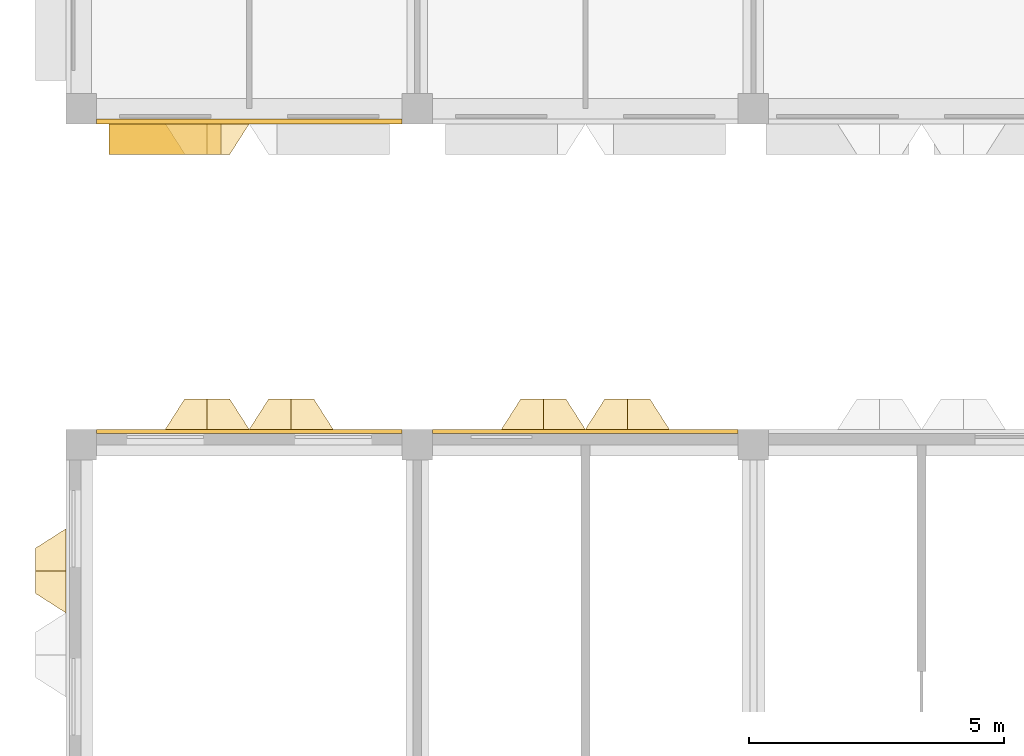
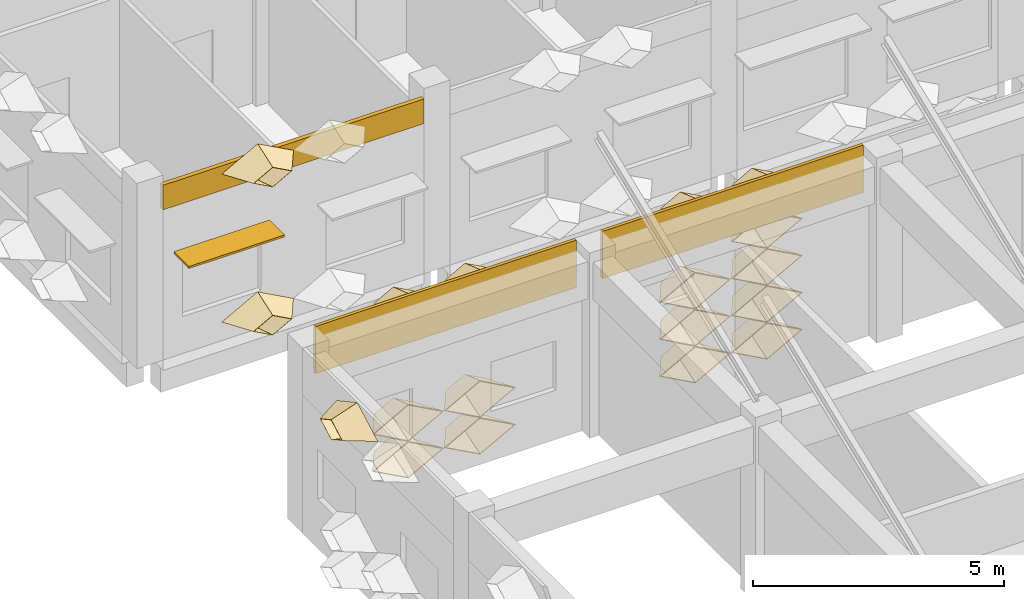
# One storey, part 83 of 102: 21 coverings, 1 shading device.
"""IFC4 building model written with IfcOpenShell, lengths in metres."""

from ifc_helpers import new_model, entity, si_unit, direction, frame, frame_2d, origin, origin_2d, place, context, subcontext, project, spatial, rectangle, extrude, material, layer, layer_set, type_object, element, save


model = new_model("IFC4")

# Units and contexts
model_context = context("Model", 3, precision=1e-05, world=origin(), true_north=direction((0.0, 1.0)))
body_context = subcontext(model_context, "Body", "Model", "MODEL_VIEW")
ifc_project = project(units=[si_unit("LENGTHUNIT", "METRE"), si_unit("AREAUNIT", "SQUARE_METRE"), si_unit("VOLUMEUNIT", "CUBIC_METRE"), si_unit("PLANEANGLEUNIT", "RADIAN"), si_unit("MASSUNIT", "GRAM", prefix="KILO")], contexts=[model_context])

# Site, building, storey
site_placement = place(None, origin())
site = spatial("IfcSite", under=ifc_project, at=site_placement, CompositionType="ELEMENT")
building_placement = place(site_placement, origin())
building = spatial("IfcBuilding", under=site, at=building_placement, Name="Lantern Court Research Institute", CompositionType="ELEMENT")
storey_placement = place(building_placement, frame((0.0, 0.0, 9.89990234375)))
storey = spatial("IfcBuildingStorey", under=building, at=storey_placement, Name="L02", CompositionType="ELEMENT", Elevation=9.89990234375)

# Shading device
ifc_material_1 = material(Name="Aluminium alloy 6063-T6", Category="aluminium")
ifc_layer_1 = layer(ifc_material_1, 0.050048828125)
ifc_layer_set_1 = layer_set([ifc_layer_1], Name="Aluminium alloy 6063-T6")
shading_device_type = type_object("IfcShadingDeviceType", Name="Brise-soleil blade 2200 x 600 x 50 aluminium", PredefinedType="USERDEFINED", material=ifc_layer_set_1)
shading_device_placement = place(storey_placement, frame((1.64990234375, 81.89990234375, 2.5), z_axis=(0.0, 0.0, 1.0), x_axis=(-1.0, 0.0, 0.0)))
element("IfcShadingDevice", 1, at=shading_device_placement, inside=storey, type_object=shading_device_type, Name="Brise-soleil blade L02 S", ObjectType="LOUVRE", PredefinedType="USERDEFINED", context=body_context, shape_type="SweptSolid", body=[
    extrude(rectangle(XDim=2.199951171875, YDim=0.60009765625, at=origin_2d()), origin(), (0.0, 0.0, 1.0), 0.050048828125),
])

# Coverings
ifc_material_2 = material(Name="Aluminium composite panel with mineral wool insulation", Category="aluminium")
ifc_layer_2 = layer(ifc_material_2, 0.10009765625)
ifc_layer_set_2 = layer_set([ifc_layer_2], Name="Aluminium composite panel with mineral wool insulation")
covering_type_1 = type_object("IfcCoveringType", Name="Edge fascia panel 100 aluminium faced", PredefinedType="CLADDING", material=ifc_layer_set_2)
covering_1_placement = place(storey_placement, frame((6.300048828125, 82.25, 3.650146484375), z_axis=(0.0, 0.0, 1.0), x_axis=(-1.0, 0.0, 0.0)))
element("IfcCovering", 2, at=covering_1_placement, inside=storey, type_object=covering_type_1, Name="Edge fascia V6S L02 01", PredefinedType="CLADDING", context=body_context, shape_type="SweptSolid", body=[
    extrude(rectangle(XDim=6.0, YDim=0.10009765625, at=frame_2d((3.0, 0.0))), origin(), (0.0, 0.0, 1.0), 0.599853515625),
])
ifc_material_3 = material(Name="Aluminium composite panel with mineral wool insulation", Category="aluminium")
ifc_layer_3 = layer(ifc_material_3, 0.074951171875)
ifc_layer_set_3 = layer_set([ifc_layer_3], Name="Aluminium composite panel with mineral wool insulation")
covering_type_2 = type_object("IfcCoveringType", Name="Edge fascia panel 75 aluminium faced", PredefinedType="CLADDING", material=ifc_layer_set_3)
for number, where, z_axis, x_axis, name in (
    (3, (0.300048828125, 76.16259765625, 3.35009765625), (0.0, 0.0, 1.0), (1.0, 0.0, 0.0), "Edge fascia V3N L02 01"),
    (4, (6.89990234375, 76.16259765625, 3.35009765625), (0.0, 0.0, 1.0), (1.0, 0.0, 0.0), "Edge fascia V3N L02 02"),
):
    element("IfcCovering", number, at=place(storey_placement, frame(where, z_axis=z_axis, x_axis=x_axis)), inside=storey, type_object=covering_type_2, Name=name, PredefinedType="CLADDING", context=body_context, shape_type="SweptSolid", body=[
        extrude(rectangle(XDim=6.0, YDim=0.074951171875, at=frame_2d((3.0, 0.0))), origin(), (0.0, 0.0, 1.0), 1.14990234375),
    ])
ifc_material_4 = material(Name="Anodised aluminium", Category="aluminium")
ifc_layer_4 = layer(ifc_material_4, 0.01611328125)
ifc_layer_set_4 = layer_set([ifc_layer_4], Name="Anodised aluminium")
covering_type_3 = type_object("IfcCoveringType", Name="Fin cassette 1650 x 900 x 600 aluminium", PredefinedType="CLADDING", material=ifc_layer_set_4)
covering_2_placement = place(storey_placement, frame((2.47509765625, 76.199951171875, 0.4501953125), z_axis=(0.0, 1.0, 0.0), x_axis=(-1.0, 0.0, 0.0)))
cartesian_point_1 = entity("IfcCartesianPoint", [0.824951171875, 0.0])
cartesian_point_2 = entity("IfcCartesianPoint", [0.79150390625, 0.0])
cartesian_point_3 = entity("IfcCartesianPoint", [0.44189453125, 0.0])
cartesian_point_4 = entity("IfcCartesianPoint", [0.43359375, 0.0])
element("IfcCovering", 5, at=covering_2_placement, inside=storey, type_object=covering_type_3, Name="Fin cassette V3N-L02 1.2", PredefinedType="CLADDING", context=body_context, shape_type="SweptSolid", body=[
    entity("IfcExtrudedAreaSolidTapered", entity("IfcArbitraryProfileDefWithVoids", "AREA", None, entity("IfcPolyline", [cartesian_point_1, entity("IfcCartesianPoint", [0.0, 0.449951171875]), entity("IfcCartesianPoint", [-0.824951171875, 0.0]), entity("IfcCartesianPoint", [0.0, -0.449951171875]), cartesian_point_1]), [entity("IfcPolyline", [cartesian_point_2, entity("IfcCartesianPoint", [0.0, 0.431884765625]), entity("IfcCartesianPoint", [-0.79150390625, 0.0]), entity("IfcCartesianPoint", [0.0, -0.431884765625]), cartesian_point_2])]), entity("IfcAxis2Placement3D", entity("IfcCartesianPoint", [0.0, 0.0, 0.0])), entity("IfcDirection", [0.0, 0.0, 1.0]), 0.60009765625, entity("IfcArbitraryProfileDefWithVoids", "AREA", None, entity("IfcPolyline", [cartesian_point_3, entity("IfcCartesianPoint", [0.0, 0.240966796875]), entity("IfcCartesianPoint", [-0.44189453125, 0.0]), entity("IfcCartesianPoint", [0.0, -0.240966796875]), cartesian_point_3]), [entity("IfcPolyline", [cartesian_point_4, entity("IfcCartesianPoint", [0.0, 0.236572265625]), entity("IfcCartesianPoint", [-0.43359375, 0.0]), entity("IfcCartesianPoint", [0.0, -0.236572265625]), cartesian_point_4])])),
])
covering_3_placement = place(storey_placement, frame((4.125, 76.199951171875, 0.4501953125), z_axis=(0.0, 1.0, 0.0), x_axis=(-1.0, 0.0, 0.0)))
cartesian_point_5 = entity("IfcCartesianPoint", [0.824951171875, 0.0])
cartesian_point_6 = entity("IfcCartesianPoint", [0.79150390625, 0.0])
cartesian_point_7 = entity("IfcCartesianPoint", [0.44189453125, 0.0])
cartesian_point_8 = entity("IfcCartesianPoint", [0.43359375, 0.0])
element("IfcCovering", 6, at=covering_3_placement, inside=storey, type_object=covering_type_3, Name="Fin cassette V3N-L02 1.3", PredefinedType="CLADDING", context=body_context, shape_type="SweptSolid", body=[
    entity("IfcExtrudedAreaSolidTapered", entity("IfcArbitraryProfileDefWithVoids", "AREA", None, entity("IfcPolyline", [cartesian_point_5, entity("IfcCartesianPoint", [0.0, 0.449951171875]), entity("IfcCartesianPoint", [-0.824951171875, 0.0]), entity("IfcCartesianPoint", [0.0, -0.449951171875]), cartesian_point_5]), [entity("IfcPolyline", [cartesian_point_6, entity("IfcCartesianPoint", [0.0, 0.431884765625]), entity("IfcCartesianPoint", [-0.79150390625, 0.0]), entity("IfcCartesianPoint", [0.0, -0.431884765625]), cartesian_point_6])]), entity("IfcAxis2Placement3D", entity("IfcCartesianPoint", [0.0, 0.0, 0.0])), entity("IfcDirection", [0.0, 0.0, 1.0]), 0.60009765625, entity("IfcArbitraryProfileDefWithVoids", "AREA", None, entity("IfcPolyline", [cartesian_point_7, entity("IfcCartesianPoint", [0.0, 0.240966796875]), entity("IfcCartesianPoint", [-0.44189453125, 0.0]), entity("IfcCartesianPoint", [0.0, -0.240966796875]), cartesian_point_7]), [entity("IfcPolyline", [cartesian_point_8, entity("IfcCartesianPoint", [0.0, 0.236572265625]), entity("IfcCartesianPoint", [-0.43359375, 0.0]), entity("IfcCartesianPoint", [0.0, -0.236572265625]), cartesian_point_8])])),
])
covering_4_placement = place(storey_placement, frame((9.074951171875, 76.199951171875, 0.4501953125), z_axis=(0.0, 1.0, 0.0), x_axis=(-1.0, 0.0, 0.0)))
cartesian_point_9 = entity("IfcCartesianPoint", [0.824951171875, 0.0])
cartesian_point_10 = entity("IfcCartesianPoint", [0.79150390625, 0.0])
cartesian_point_11 = entity("IfcCartesianPoint", [0.44189453125, 0.0])
cartesian_point_12 = entity("IfcCartesianPoint", [0.43359375, 0.0])
element("IfcCovering", 7, at=covering_4_placement, inside=storey, type_object=covering_type_3, Name="Fin cassette V3N-L02 1.6", PredefinedType="CLADDING", context=body_context, shape_type="SweptSolid", body=[
    entity("IfcExtrudedAreaSolidTapered", entity("IfcArbitraryProfileDefWithVoids", "AREA", None, entity("IfcPolyline", [cartesian_point_9, entity("IfcCartesianPoint", [0.0, 0.449951171875]), entity("IfcCartesianPoint", [-0.824951171875, 0.0]), entity("IfcCartesianPoint", [0.0, -0.449951171875]), cartesian_point_9]), [entity("IfcPolyline", [cartesian_point_10, entity("IfcCartesianPoint", [0.0, 0.431884765625]), entity("IfcCartesianPoint", [-0.79150390625, 0.0]), entity("IfcCartesianPoint", [0.0, -0.431884765625]), cartesian_point_10])]), entity("IfcAxis2Placement3D", entity("IfcCartesianPoint", [0.0, 0.0, 0.0])), entity("IfcDirection", [0.0, 0.0, 1.0]), 0.60009765625, entity("IfcArbitraryProfileDefWithVoids", "AREA", None, entity("IfcPolyline", [cartesian_point_11, entity("IfcCartesianPoint", [0.0, 0.240966796875]), entity("IfcCartesianPoint", [-0.44189453125, 0.0]), entity("IfcCartesianPoint", [0.0, -0.240966796875]), cartesian_point_11]), [entity("IfcPolyline", [cartesian_point_12, entity("IfcCartesianPoint", [0.0, 0.236572265625]), entity("IfcCartesianPoint", [-0.43359375, 0.0]), entity("IfcCartesianPoint", [0.0, -0.236572265625]), cartesian_point_12])])),
])
covering_5_placement = place(storey_placement, frame((10.72509765625, 76.199951171875, 0.4501953125), z_axis=(0.0, 1.0, 0.0), x_axis=(-1.0, 0.0, 0.0)))
cartesian_point_13 = entity("IfcCartesianPoint", [0.824951171875, 0.0])
cartesian_point_14 = entity("IfcCartesianPoint", [0.79150390625, 0.0])
cartesian_point_15 = entity("IfcCartesianPoint", [0.44189453125, 0.0])
cartesian_point_16 = entity("IfcCartesianPoint", [0.43359375, 0.0])
element("IfcCovering", 8, at=covering_5_placement, inside=storey, type_object=covering_type_3, Name="Fin cassette V3N-L02 1.7", PredefinedType="CLADDING", context=body_context, shape_type="SweptSolid", body=[
    entity("IfcExtrudedAreaSolidTapered", entity("IfcArbitraryProfileDefWithVoids", "AREA", None, entity("IfcPolyline", [cartesian_point_13, entity("IfcCartesianPoint", [0.0, 0.449951171875]), entity("IfcCartesianPoint", [-0.824951171875, 0.0]), entity("IfcCartesianPoint", [0.0, -0.449951171875]), cartesian_point_13]), [entity("IfcPolyline", [cartesian_point_14, entity("IfcCartesianPoint", [0.0, 0.431884765625]), entity("IfcCartesianPoint", [-0.79150390625, 0.0]), entity("IfcCartesianPoint", [0.0, -0.431884765625]), cartesian_point_14])]), entity("IfcAxis2Placement3D", entity("IfcCartesianPoint", [0.0, 0.0, 0.0])), entity("IfcDirection", [0.0, 0.0, 1.0]), 0.60009765625, entity("IfcArbitraryProfileDefWithVoids", "AREA", None, entity("IfcPolyline", [cartesian_point_15, entity("IfcCartesianPoint", [0.0, 0.240966796875]), entity("IfcCartesianPoint", [-0.44189453125, 0.0]), entity("IfcCartesianPoint", [0.0, -0.240966796875]), cartesian_point_15]), [entity("IfcPolyline", [cartesian_point_16, entity("IfcCartesianPoint", [0.0, 0.236572265625]), entity("IfcCartesianPoint", [-0.43359375, 0.0]), entity("IfcCartesianPoint", [0.0, -0.236572265625]), cartesian_point_16])])),
])
covering_6_placement = place(storey_placement, frame((2.47509765625, 76.199951171875, 1.35009765625), z_axis=(0.0, 1.0, 0.0), x_axis=(-1.0, 0.0, 0.0)))
cartesian_point_17 = entity("IfcCartesianPoint", [0.824951171875, 0.0])
cartesian_point_18 = entity("IfcCartesianPoint", [0.79150390625, 0.0])
cartesian_point_19 = entity("IfcCartesianPoint", [0.44189453125, 0.0])
cartesian_point_20 = entity("IfcCartesianPoint", [0.43359375, 0.0])
element("IfcCovering", 9, at=covering_6_placement, inside=storey, type_object=covering_type_3, Name="Fin cassette V3N-L02 2.2", PredefinedType="CLADDING", context=body_context, shape_type="SweptSolid", body=[
    entity("IfcExtrudedAreaSolidTapered", entity("IfcArbitraryProfileDefWithVoids", "AREA", None, entity("IfcPolyline", [cartesian_point_17, entity("IfcCartesianPoint", [0.0, 0.449951171875]), entity("IfcCartesianPoint", [-0.824951171875, 0.0]), entity("IfcCartesianPoint", [0.0, -0.449951171875]), cartesian_point_17]), [entity("IfcPolyline", [cartesian_point_18, entity("IfcCartesianPoint", [0.0, 0.431884765625]), entity("IfcCartesianPoint", [-0.79150390625, 0.0]), entity("IfcCartesianPoint", [0.0, -0.431884765625]), cartesian_point_18])]), entity("IfcAxis2Placement3D", entity("IfcCartesianPoint", [0.0, 0.0, 0.0])), entity("IfcDirection", [0.0, 0.0, 1.0]), 0.60009765625, entity("IfcArbitraryProfileDefWithVoids", "AREA", None, entity("IfcPolyline", [cartesian_point_19, entity("IfcCartesianPoint", [0.0, 0.240966796875]), entity("IfcCartesianPoint", [-0.44189453125, 0.0]), entity("IfcCartesianPoint", [0.0, -0.240966796875]), cartesian_point_19]), [entity("IfcPolyline", [cartesian_point_20, entity("IfcCartesianPoint", [0.0, 0.236572265625]), entity("IfcCartesianPoint", [-0.43359375, 0.0]), entity("IfcCartesianPoint", [0.0, -0.236572265625]), cartesian_point_20])])),
])
covering_7_placement = place(storey_placement, frame((4.125, 76.199951171875, 1.35009765625), z_axis=(0.0, 1.0, 0.0), x_axis=(-1.0, 0.0, 0.0)))
cartesian_point_21 = entity("IfcCartesianPoint", [0.824951171875, 0.0])
cartesian_point_22 = entity("IfcCartesianPoint", [0.79150390625, 0.0])
cartesian_point_23 = entity("IfcCartesianPoint", [0.44189453125, 0.0])
cartesian_point_24 = entity("IfcCartesianPoint", [0.43359375, 0.0])
element("IfcCovering", 10, at=covering_7_placement, inside=storey, type_object=covering_type_3, Name="Fin cassette V3N-L02 2.3", PredefinedType="CLADDING", context=body_context, shape_type="SweptSolid", body=[
    entity("IfcExtrudedAreaSolidTapered", entity("IfcArbitraryProfileDefWithVoids", "AREA", None, entity("IfcPolyline", [cartesian_point_21, entity("IfcCartesianPoint", [0.0, 0.449951171875]), entity("IfcCartesianPoint", [-0.824951171875, 0.0]), entity("IfcCartesianPoint", [0.0, -0.449951171875]), cartesian_point_21]), [entity("IfcPolyline", [cartesian_point_22, entity("IfcCartesianPoint", [0.0, 0.431884765625]), entity("IfcCartesianPoint", [-0.79150390625, 0.0]), entity("IfcCartesianPoint", [0.0, -0.431884765625]), cartesian_point_22])]), entity("IfcAxis2Placement3D", entity("IfcCartesianPoint", [0.0, 0.0, 0.0])), entity("IfcDirection", [0.0, 0.0, 1.0]), 0.60009765625, entity("IfcArbitraryProfileDefWithVoids", "AREA", None, entity("IfcPolyline", [cartesian_point_23, entity("IfcCartesianPoint", [0.0, 0.240966796875]), entity("IfcCartesianPoint", [-0.44189453125, 0.0]), entity("IfcCartesianPoint", [0.0, -0.240966796875]), cartesian_point_23]), [entity("IfcPolyline", [cartesian_point_24, entity("IfcCartesianPoint", [0.0, 0.236572265625]), entity("IfcCartesianPoint", [-0.43359375, 0.0]), entity("IfcCartesianPoint", [0.0, -0.236572265625]), cartesian_point_24])])),
])
covering_8_placement = place(storey_placement, frame((9.074951171875, 76.199951171875, 1.35009765625), z_axis=(0.0, 1.0, 0.0), x_axis=(-1.0, 0.0, 0.0)))
cartesian_point_25 = entity("IfcCartesianPoint", [0.824951171875, 0.0])
cartesian_point_26 = entity("IfcCartesianPoint", [0.79150390625, 0.0])
cartesian_point_27 = entity("IfcCartesianPoint", [0.44189453125, 0.0])
cartesian_point_28 = entity("IfcCartesianPoint", [0.43359375, 0.0])
element("IfcCovering", 11, at=covering_8_placement, inside=storey, type_object=covering_type_3, Name="Fin cassette V3N-L02 2.6", PredefinedType="CLADDING", context=body_context, shape_type="SweptSolid", body=[
    entity("IfcExtrudedAreaSolidTapered", entity("IfcArbitraryProfileDefWithVoids", "AREA", None, entity("IfcPolyline", [cartesian_point_25, entity("IfcCartesianPoint", [0.0, 0.449951171875]), entity("IfcCartesianPoint", [-0.824951171875, 0.0]), entity("IfcCartesianPoint", [0.0, -0.449951171875]), cartesian_point_25]), [entity("IfcPolyline", [cartesian_point_26, entity("IfcCartesianPoint", [0.0, 0.431884765625]), entity("IfcCartesianPoint", [-0.79150390625, 0.0]), entity("IfcCartesianPoint", [0.0, -0.431884765625]), cartesian_point_26])]), entity("IfcAxis2Placement3D", entity("IfcCartesianPoint", [0.0, 0.0, 0.0])), entity("IfcDirection", [0.0, 0.0, 1.0]), 0.60009765625, entity("IfcArbitraryProfileDefWithVoids", "AREA", None, entity("IfcPolyline", [cartesian_point_27, entity("IfcCartesianPoint", [0.0, 0.240966796875]), entity("IfcCartesianPoint", [-0.44189453125, 0.0]), entity("IfcCartesianPoint", [0.0, -0.240966796875]), cartesian_point_27]), [entity("IfcPolyline", [cartesian_point_28, entity("IfcCartesianPoint", [0.0, 0.236572265625]), entity("IfcCartesianPoint", [-0.43359375, 0.0]), entity("IfcCartesianPoint", [0.0, -0.236572265625]), cartesian_point_28])])),
])
covering_9_placement = place(storey_placement, frame((10.72509765625, 76.199951171875, 1.35009765625), z_axis=(0.0, 1.0, 0.0), x_axis=(-1.0, 0.0, 0.0)))
cartesian_point_29 = entity("IfcCartesianPoint", [0.824951171875, 0.0])
cartesian_point_30 = entity("IfcCartesianPoint", [0.79150390625, 0.0])
cartesian_point_31 = entity("IfcCartesianPoint", [0.44189453125, 0.0])
cartesian_point_32 = entity("IfcCartesianPoint", [0.43359375, 0.0])
element("IfcCovering", 12, at=covering_9_placement, inside=storey, type_object=covering_type_3, Name="Fin cassette V3N-L02 2.7", PredefinedType="CLADDING", context=body_context, shape_type="SweptSolid", body=[
    entity("IfcExtrudedAreaSolidTapered", entity("IfcArbitraryProfileDefWithVoids", "AREA", None, entity("IfcPolyline", [cartesian_point_29, entity("IfcCartesianPoint", [0.0, 0.449951171875]), entity("IfcCartesianPoint", [-0.824951171875, 0.0]), entity("IfcCartesianPoint", [0.0, -0.449951171875]), cartesian_point_29]), [entity("IfcPolyline", [cartesian_point_30, entity("IfcCartesianPoint", [0.0, 0.431884765625]), entity("IfcCartesianPoint", [-0.79150390625, 0.0]), entity("IfcCartesianPoint", [0.0, -0.431884765625]), cartesian_point_30])]), entity("IfcAxis2Placement3D", entity("IfcCartesianPoint", [0.0, 0.0, 0.0])), entity("IfcDirection", [0.0, 0.0, 1.0]), 0.60009765625, entity("IfcArbitraryProfileDefWithVoids", "AREA", None, entity("IfcPolyline", [cartesian_point_31, entity("IfcCartesianPoint", [0.0, 0.240966796875]), entity("IfcCartesianPoint", [-0.44189453125, 0.0]), entity("IfcCartesianPoint", [0.0, -0.240966796875]), cartesian_point_31]), [entity("IfcPolyline", [cartesian_point_32, entity("IfcCartesianPoint", [0.0, 0.236572265625]), entity("IfcCartesianPoint", [-0.43359375, 0.0]), entity("IfcCartesianPoint", [0.0, -0.236572265625]), cartesian_point_32])])),
])
covering_10_placement = place(storey_placement, frame((9.074951171875, 76.199951171875, 2.25), z_axis=(0.0, 1.0, 0.0), x_axis=(-1.0, 0.0, 0.0)))
cartesian_point_33 = entity("IfcCartesianPoint", [0.824951171875, 0.0])
cartesian_point_34 = entity("IfcCartesianPoint", [0.79150390625, 0.0])
cartesian_point_35 = entity("IfcCartesianPoint", [0.44189453125, 0.0])
cartesian_point_36 = entity("IfcCartesianPoint", [0.43359375, 0.0])
element("IfcCovering", 13, at=covering_10_placement, inside=storey, type_object=covering_type_3, Name="Fin cassette V3N-L02 3.6", PredefinedType="CLADDING", context=body_context, shape_type="SweptSolid", body=[
    entity("IfcExtrudedAreaSolidTapered", entity("IfcArbitraryProfileDefWithVoids", "AREA", None, entity("IfcPolyline", [cartesian_point_33, entity("IfcCartesianPoint", [0.0, 0.449951171875]), entity("IfcCartesianPoint", [-0.824951171875, 0.0]), entity("IfcCartesianPoint", [0.0, -0.449951171875]), cartesian_point_33]), [entity("IfcPolyline", [cartesian_point_34, entity("IfcCartesianPoint", [0.0, 0.431884765625]), entity("IfcCartesianPoint", [-0.79150390625, 0.0]), entity("IfcCartesianPoint", [0.0, -0.431884765625]), cartesian_point_34])]), entity("IfcAxis2Placement3D", entity("IfcCartesianPoint", [0.0, 0.0, 0.0])), entity("IfcDirection", [0.0, 0.0, 1.0]), 0.60009765625, entity("IfcArbitraryProfileDefWithVoids", "AREA", None, entity("IfcPolyline", [cartesian_point_35, entity("IfcCartesianPoint", [0.0, 0.240966796875]), entity("IfcCartesianPoint", [-0.44189453125, 0.0]), entity("IfcCartesianPoint", [0.0, -0.240966796875]), cartesian_point_35]), [entity("IfcPolyline", [cartesian_point_36, entity("IfcCartesianPoint", [0.0, 0.236572265625]), entity("IfcCartesianPoint", [-0.43359375, 0.0]), entity("IfcCartesianPoint", [0.0, -0.236572265625]), cartesian_point_36])])),
])
covering_11_placement = place(storey_placement, frame((10.72509765625, 76.199951171875, 2.25), z_axis=(0.0, 1.0, 0.0), x_axis=(-1.0, 0.0, 0.0)))
cartesian_point_37 = entity("IfcCartesianPoint", [0.824951171875, 0.0])
cartesian_point_38 = entity("IfcCartesianPoint", [0.79150390625, 0.0])
cartesian_point_39 = entity("IfcCartesianPoint", [0.44189453125, 0.0])
cartesian_point_40 = entity("IfcCartesianPoint", [0.43359375, 0.0])
element("IfcCovering", 14, at=covering_11_placement, inside=storey, type_object=covering_type_3, Name="Fin cassette V3N-L02 3.7", PredefinedType="CLADDING", context=body_context, shape_type="SweptSolid", body=[
    entity("IfcExtrudedAreaSolidTapered", entity("IfcArbitraryProfileDefWithVoids", "AREA", None, entity("IfcPolyline", [cartesian_point_37, entity("IfcCartesianPoint", [0.0, 0.449951171875]), entity("IfcCartesianPoint", [-0.824951171875, 0.0]), entity("IfcCartesianPoint", [0.0, -0.449951171875]), cartesian_point_37]), [entity("IfcPolyline", [cartesian_point_38, entity("IfcCartesianPoint", [0.0, 0.431884765625]), entity("IfcCartesianPoint", [-0.79150390625, 0.0]), entity("IfcCartesianPoint", [0.0, -0.431884765625]), cartesian_point_38])]), entity("IfcAxis2Placement3D", entity("IfcCartesianPoint", [0.0, 0.0, 0.0])), entity("IfcDirection", [0.0, 0.0, 1.0]), 0.60009765625, entity("IfcArbitraryProfileDefWithVoids", "AREA", None, entity("IfcPolyline", [cartesian_point_39, entity("IfcCartesianPoint", [0.0, 0.240966796875]), entity("IfcCartesianPoint", [-0.44189453125, 0.0]), entity("IfcCartesianPoint", [0.0, -0.240966796875]), cartesian_point_39]), [entity("IfcPolyline", [cartesian_point_40, entity("IfcCartesianPoint", [0.0, 0.236572265625]), entity("IfcCartesianPoint", [-0.43359375, 0.0]), entity("IfcCartesianPoint", [0.0, -0.236572265625]), cartesian_point_40])])),
])
covering_12_placement = place(storey_placement, frame((10.72509765625, 76.199951171875, 3.150146484375), z_axis=(0.0, 1.0, 0.0), x_axis=(-1.0, 0.0, 0.0)))
cartesian_point_41 = entity("IfcCartesianPoint", [0.824951171875, 0.0])
cartesian_point_42 = entity("IfcCartesianPoint", [0.79150390625, 0.0])
cartesian_point_43 = entity("IfcCartesianPoint", [0.44189453125, 0.0])
cartesian_point_44 = entity("IfcCartesianPoint", [0.43359375, 0.0])
element("IfcCovering", 15, at=covering_12_placement, inside=storey, type_object=covering_type_3, Name="Fin cassette V3N-L02 4.7", PredefinedType="CLADDING", context=body_context, shape_type="SweptSolid", body=[
    entity("IfcExtrudedAreaSolidTapered", entity("IfcArbitraryProfileDefWithVoids", "AREA", None, entity("IfcPolyline", [cartesian_point_41, entity("IfcCartesianPoint", [0.0, 0.449951171875]), entity("IfcCartesianPoint", [-0.824951171875, 0.0]), entity("IfcCartesianPoint", [0.0, -0.449951171875]), cartesian_point_41]), [entity("IfcPolyline", [cartesian_point_42, entity("IfcCartesianPoint", [0.0, 0.431884765625]), entity("IfcCartesianPoint", [-0.79150390625, 0.0]), entity("IfcCartesianPoint", [0.0, -0.431884765625]), cartesian_point_42])]), entity("IfcAxis2Placement3D", entity("IfcCartesianPoint", [0.0, 0.0, 0.0])), entity("IfcDirection", [0.0, 0.0, 1.0]), 0.60009765625, entity("IfcArbitraryProfileDefWithVoids", "AREA", None, entity("IfcPolyline", [cartesian_point_43, entity("IfcCartesianPoint", [0.0, 0.240966796875]), entity("IfcCartesianPoint", [-0.44189453125, 0.0]), entity("IfcCartesianPoint", [0.0, -0.240966796875]), cartesian_point_43]), [entity("IfcPolyline", [cartesian_point_44, entity("IfcCartesianPoint", [0.0, 0.236572265625]), entity("IfcCartesianPoint", [-0.43359375, 0.0]), entity("IfcCartesianPoint", [0.0, -0.236572265625]), cartesian_point_44])])),
])
covering_13_placement = place(storey_placement, frame((2.47509765625, 76.199951171875, 4.050048828125), z_axis=(0.0, 1.0, 0.0), x_axis=(-1.0, 0.0, 0.0)))
cartesian_point_45 = entity("IfcCartesianPoint", [0.824951171875, 0.0])
cartesian_point_46 = entity("IfcCartesianPoint", [0.79150390625, 0.0])
cartesian_point_47 = entity("IfcCartesianPoint", [0.44189453125, 0.0])
cartesian_point_48 = entity("IfcCartesianPoint", [0.43359375, 0.0])
element("IfcCovering", 16, at=covering_13_placement, inside=storey, type_object=covering_type_3, Name="Fin cassette V3N-L02 5.2", PredefinedType="CLADDING", context=body_context, shape_type="SweptSolid", body=[
    entity("IfcExtrudedAreaSolidTapered", entity("IfcArbitraryProfileDefWithVoids", "AREA", None, entity("IfcPolyline", [cartesian_point_45, entity("IfcCartesianPoint", [0.0, 0.449951171875]), entity("IfcCartesianPoint", [-0.824951171875, 0.0]), entity("IfcCartesianPoint", [0.0, -0.449951171875]), cartesian_point_45]), [entity("IfcPolyline", [cartesian_point_46, entity("IfcCartesianPoint", [0.0, 0.431884765625]), entity("IfcCartesianPoint", [-0.79150390625, 0.0]), entity("IfcCartesianPoint", [0.0, -0.431884765625]), cartesian_point_46])]), entity("IfcAxis2Placement3D", entity("IfcCartesianPoint", [0.0, 0.0, 0.0])), entity("IfcDirection", [0.0, 0.0, 1.0]), 0.60009765625, entity("IfcArbitraryProfileDefWithVoids", "AREA", None, entity("IfcPolyline", [cartesian_point_47, entity("IfcCartesianPoint", [0.0, 0.240966796875]), entity("IfcCartesianPoint", [-0.44189453125, 0.0]), entity("IfcCartesianPoint", [0.0, -0.240966796875]), cartesian_point_47]), [entity("IfcPolyline", [cartesian_point_48, entity("IfcCartesianPoint", [0.0, 0.236572265625]), entity("IfcCartesianPoint", [-0.43359375, 0.0]), entity("IfcCartesianPoint", [0.0, -0.236572265625]), cartesian_point_48])])),
])
covering_14_placement = place(storey_placement, frame((4.125, 76.199951171875, 4.050048828125), z_axis=(0.0, 1.0, 0.0), x_axis=(-1.0, 0.0, 0.0)))
cartesian_point_49 = entity("IfcCartesianPoint", [0.824951171875, 0.0])
cartesian_point_50 = entity("IfcCartesianPoint", [0.79150390625, 0.0])
cartesian_point_51 = entity("IfcCartesianPoint", [0.44189453125, 0.0])
cartesian_point_52 = entity("IfcCartesianPoint", [0.43359375, 0.0])
element("IfcCovering", 17, at=covering_14_placement, inside=storey, type_object=covering_type_3, Name="Fin cassette V3N-L02 5.3", PredefinedType="CLADDING", context=body_context, shape_type="SweptSolid", body=[
    entity("IfcExtrudedAreaSolidTapered", entity("IfcArbitraryProfileDefWithVoids", "AREA", None, entity("IfcPolyline", [cartesian_point_49, entity("IfcCartesianPoint", [0.0, 0.449951171875]), entity("IfcCartesianPoint", [-0.824951171875, 0.0]), entity("IfcCartesianPoint", [0.0, -0.449951171875]), cartesian_point_49]), [entity("IfcPolyline", [cartesian_point_50, entity("IfcCartesianPoint", [0.0, 0.431884765625]), entity("IfcCartesianPoint", [-0.79150390625, 0.0]), entity("IfcCartesianPoint", [0.0, -0.431884765625]), cartesian_point_50])]), entity("IfcAxis2Placement3D", entity("IfcCartesianPoint", [0.0, 0.0, 0.0])), entity("IfcDirection", [0.0, 0.0, 1.0]), 0.60009765625, entity("IfcArbitraryProfileDefWithVoids", "AREA", None, entity("IfcPolyline", [cartesian_point_51, entity("IfcCartesianPoint", [0.0, 0.240966796875]), entity("IfcCartesianPoint", [-0.44189453125, 0.0]), entity("IfcCartesianPoint", [0.0, -0.240966796875]), cartesian_point_51]), [entity("IfcPolyline", [cartesian_point_52, entity("IfcCartesianPoint", [0.0, 0.236572265625]), entity("IfcCartesianPoint", [-0.43359375, 0.0]), entity("IfcCartesianPoint", [0.0, -0.236572265625]), cartesian_point_52])])),
])
covering_15_placement = place(storey_placement, frame((9.074951171875, 76.199951171875, 4.050048828125), z_axis=(0.0, 1.0, 0.0), x_axis=(-1.0, 0.0, 0.0)))
cartesian_point_53 = entity("IfcCartesianPoint", [0.824951171875, 0.0])
cartesian_point_54 = entity("IfcCartesianPoint", [0.79150390625, 0.0])
cartesian_point_55 = entity("IfcCartesianPoint", [0.44189453125, 0.0])
cartesian_point_56 = entity("IfcCartesianPoint", [0.43359375, 0.0])
element("IfcCovering", 18, at=covering_15_placement, inside=storey, type_object=covering_type_3, Name="Fin cassette V3N-L02 5.6", PredefinedType="CLADDING", context=body_context, shape_type="SweptSolid", body=[
    entity("IfcExtrudedAreaSolidTapered", entity("IfcArbitraryProfileDefWithVoids", "AREA", None, entity("IfcPolyline", [cartesian_point_53, entity("IfcCartesianPoint", [0.0, 0.449951171875]), entity("IfcCartesianPoint", [-0.824951171875, 0.0]), entity("IfcCartesianPoint", [0.0, -0.449951171875]), cartesian_point_53]), [entity("IfcPolyline", [cartesian_point_54, entity("IfcCartesianPoint", [0.0, 0.431884765625]), entity("IfcCartesianPoint", [-0.79150390625, 0.0]), entity("IfcCartesianPoint", [0.0, -0.431884765625]), cartesian_point_54])]), entity("IfcAxis2Placement3D", entity("IfcCartesianPoint", [0.0, 0.0, 0.0])), entity("IfcDirection", [0.0, 0.0, 1.0]), 0.60009765625, entity("IfcArbitraryProfileDefWithVoids", "AREA", None, entity("IfcPolyline", [cartesian_point_55, entity("IfcCartesianPoint", [0.0, 0.240966796875]), entity("IfcCartesianPoint", [-0.44189453125, 0.0]), entity("IfcCartesianPoint", [0.0, -0.240966796875]), cartesian_point_55]), [entity("IfcPolyline", [cartesian_point_56, entity("IfcCartesianPoint", [0.0, 0.236572265625]), entity("IfcCartesianPoint", [-0.43359375, 0.0]), entity("IfcCartesianPoint", [0.0, -0.236572265625]), cartesian_point_56])])),
])
covering_16_placement = place(storey_placement, frame((10.72509765625, 76.199951171875, 4.050048828125), z_axis=(0.0, 1.0, 0.0), x_axis=(-1.0, 0.0, 0.0)))
cartesian_point_57 = entity("IfcCartesianPoint", [0.824951171875, 0.0])
cartesian_point_58 = entity("IfcCartesianPoint", [0.79150390625, 0.0])
cartesian_point_59 = entity("IfcCartesianPoint", [0.44189453125, 0.0])
cartesian_point_60 = entity("IfcCartesianPoint", [0.43359375, 0.0])
element("IfcCovering", 19, at=covering_16_placement, inside=storey, type_object=covering_type_3, Name="Fin cassette V3N-L02 5.7", PredefinedType="CLADDING", context=body_context, shape_type="SweptSolid", body=[
    entity("IfcExtrudedAreaSolidTapered", entity("IfcArbitraryProfileDefWithVoids", "AREA", None, entity("IfcPolyline", [cartesian_point_57, entity("IfcCartesianPoint", [0.0, 0.449951171875]), entity("IfcCartesianPoint", [-0.824951171875, 0.0]), entity("IfcCartesianPoint", [0.0, -0.449951171875]), cartesian_point_57]), [entity("IfcPolyline", [cartesian_point_58, entity("IfcCartesianPoint", [0.0, 0.431884765625]), entity("IfcCartesianPoint", [-0.79150390625, 0.0]), entity("IfcCartesianPoint", [0.0, -0.431884765625]), cartesian_point_58])]), entity("IfcAxis2Placement3D", entity("IfcCartesianPoint", [0.0, 0.0, 0.0])), entity("IfcDirection", [0.0, 0.0, 1.0]), 0.60009765625, entity("IfcArbitraryProfileDefWithVoids", "AREA", None, entity("IfcPolyline", [cartesian_point_59, entity("IfcCartesianPoint", [0.0, 0.240966796875]), entity("IfcCartesianPoint", [-0.44189453125, 0.0]), entity("IfcCartesianPoint", [0.0, -0.240966796875]), cartesian_point_59]), [entity("IfcPolyline", [cartesian_point_60, entity("IfcCartesianPoint", [0.0, 0.236572265625]), entity("IfcCartesianPoint", [-0.43359375, 0.0]), entity("IfcCartesianPoint", [0.0, -0.236572265625]), cartesian_point_60])])),
])
covering_17_placement = place(storey_placement, frame((-0.300048828125, 73.425048828125, 4.050048828125), z_axis=(-1.0, 0.0, 0.0), x_axis=(0.0, -1.0, 0.0)))
cartesian_point_61 = entity("IfcCartesianPoint", [0.824951171875, 0.0])
cartesian_point_62 = entity("IfcCartesianPoint", [0.79150390625, 0.0])
cartesian_point_63 = entity("IfcCartesianPoint", [0.44189453125, 0.0])
cartesian_point_64 = entity("IfcCartesianPoint", [0.43359375, 0.0])
element("IfcCovering", 20, at=covering_17_placement, inside=storey, type_object=covering_type_3, Name="Fin cassette V3W-L02 5.45", PredefinedType="CLADDING", context=body_context, shape_type="SweptSolid", body=[
    entity("IfcExtrudedAreaSolidTapered", entity("IfcArbitraryProfileDefWithVoids", "AREA", None, entity("IfcPolyline", [cartesian_point_61, entity("IfcCartesianPoint", [0.0, 0.449951171875]), entity("IfcCartesianPoint", [-0.824951171875, 0.0]), entity("IfcCartesianPoint", [0.0, -0.449951171875]), cartesian_point_61]), [entity("IfcPolyline", [cartesian_point_62, entity("IfcCartesianPoint", [0.0, 0.431884765625]), entity("IfcCartesianPoint", [-0.79150390625, 0.0]), entity("IfcCartesianPoint", [0.0, -0.431884765625]), cartesian_point_62])]), entity("IfcAxis2Placement3D", entity("IfcCartesianPoint", [0.0, 0.0, 0.0])), entity("IfcDirection", [0.0, 0.0, 1.0]), 0.60009765625, entity("IfcArbitraryProfileDefWithVoids", "AREA", None, entity("IfcPolyline", [cartesian_point_63, entity("IfcCartesianPoint", [0.0, 0.240966796875]), entity("IfcCartesianPoint", [-0.44189453125, 0.0]), entity("IfcCartesianPoint", [0.0, -0.240966796875]), cartesian_point_63]), [entity("IfcPolyline", [cartesian_point_64, entity("IfcCartesianPoint", [0.0, 0.236572265625]), entity("IfcCartesianPoint", [-0.43359375, 0.0]), entity("IfcCartesianPoint", [0.0, -0.236572265625]), cartesian_point_64])])),
])
covering_18_placement = place(storey_placement, frame((2.47509765625, 82.199951171875, 0.4501953125), z_axis=(0.0, -1.0, 0.0), x_axis=(1.0, 0.0, 0.0)))
cartesian_point_65 = entity("IfcCartesianPoint", [0.824951171875, 0.0])
cartesian_point_66 = entity("IfcCartesianPoint", [0.79150390625, 0.0])
cartesian_point_67 = entity("IfcCartesianPoint", [0.44189453125, 0.0])
cartesian_point_68 = entity("IfcCartesianPoint", [0.43359375, 0.0])
element("IfcCovering", 21, at=covering_18_placement, inside=storey, type_object=covering_type_3, Name="Fin cassette V6S-L02 1.2", PredefinedType="CLADDING", context=body_context, shape_type="SweptSolid", body=[
    entity("IfcExtrudedAreaSolidTapered", entity("IfcArbitraryProfileDefWithVoids", "AREA", None, entity("IfcPolyline", [cartesian_point_65, entity("IfcCartesianPoint", [0.0, 0.449951171875]), entity("IfcCartesianPoint", [-0.824951171875, 0.0]), entity("IfcCartesianPoint", [0.0, -0.449951171875]), cartesian_point_65]), [entity("IfcPolyline", [cartesian_point_66, entity("IfcCartesianPoint", [0.0, 0.431884765625]), entity("IfcCartesianPoint", [-0.79150390625, 0.0]), entity("IfcCartesianPoint", [0.0, -0.431884765625]), cartesian_point_66])]), entity("IfcAxis2Placement3D", entity("IfcCartesianPoint", [0.0, 0.0, 0.0])), entity("IfcDirection", [0.0, 0.0, 1.0]), 0.60009765625, entity("IfcArbitraryProfileDefWithVoids", "AREA", None, entity("IfcPolyline", [cartesian_point_67, entity("IfcCartesianPoint", [0.0, 0.240966796875]), entity("IfcCartesianPoint", [-0.44189453125, 0.0]), entity("IfcCartesianPoint", [0.0, -0.240966796875]), cartesian_point_67]), [entity("IfcPolyline", [cartesian_point_68, entity("IfcCartesianPoint", [0.0, 0.236572265625]), entity("IfcCartesianPoint", [-0.43359375, 0.0]), entity("IfcCartesianPoint", [0.0, -0.236572265625]), cartesian_point_68])])),
])
covering_19_placement = place(storey_placement, frame((2.47509765625, 82.199951171875, 4.050048828125), z_axis=(0.0, -1.0, 0.0), x_axis=(1.0, 0.0, 0.0)))
cartesian_point_69 = entity("IfcCartesianPoint", [0.824951171875, 0.0])
cartesian_point_70 = entity("IfcCartesianPoint", [0.79150390625, 0.0])
cartesian_point_71 = entity("IfcCartesianPoint", [0.44189453125, 0.0])
cartesian_point_72 = entity("IfcCartesianPoint", [0.43359375, 0.0])
element("IfcCovering", 22, at=covering_19_placement, inside=storey, type_object=covering_type_3, Name="Fin cassette V6S-L02 5.2", PredefinedType="CLADDING", context=body_context, shape_type="SweptSolid", body=[
    entity("IfcExtrudedAreaSolidTapered", entity("IfcArbitraryProfileDefWithVoids", "AREA", None, entity("IfcPolyline", [cartesian_point_69, entity("IfcCartesianPoint", [0.0, 0.449951171875]), entity("IfcCartesianPoint", [-0.824951171875, 0.0]), entity("IfcCartesianPoint", [0.0, -0.449951171875]), cartesian_point_69]), [entity("IfcPolyline", [cartesian_point_70, entity("IfcCartesianPoint", [0.0, 0.431884765625]), entity("IfcCartesianPoint", [-0.79150390625, 0.0]), entity("IfcCartesianPoint", [0.0, -0.431884765625]), cartesian_point_70])]), entity("IfcAxis2Placement3D", entity("IfcCartesianPoint", [0.0, 0.0, 0.0])), entity("IfcDirection", [0.0, 0.0, 1.0]), 0.60009765625, entity("IfcArbitraryProfileDefWithVoids", "AREA", None, entity("IfcPolyline", [cartesian_point_71, entity("IfcCartesianPoint", [0.0, 0.240966796875]), entity("IfcCartesianPoint", [-0.44189453125, 0.0]), entity("IfcCartesianPoint", [0.0, -0.240966796875]), cartesian_point_71]), [entity("IfcPolyline", [cartesian_point_72, entity("IfcCartesianPoint", [0.0, 0.236572265625]), entity("IfcCartesianPoint", [-0.43359375, 0.0]), entity("IfcCartesianPoint", [0.0, -0.236572265625]), cartesian_point_72])])),
])

save(model, "model.ifc")
